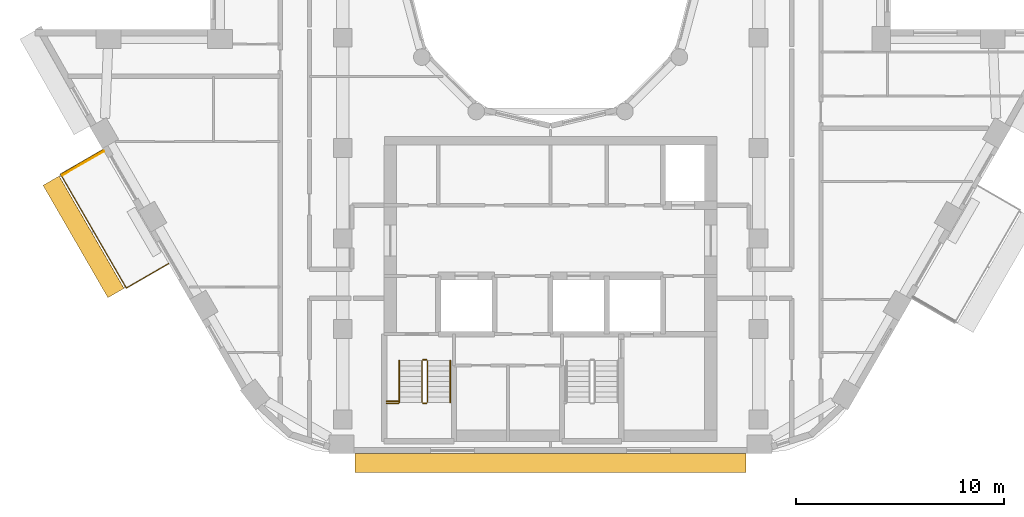
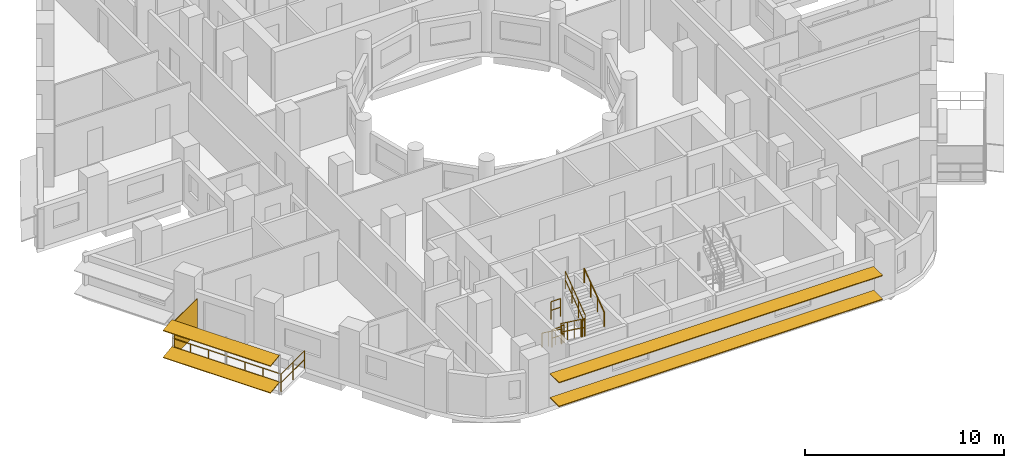
# One storey, part 13 of 16: 9 railings, 5 shading devices.
"""IFC4 building model written with IfcOpenShell, lengths in metres."""

from ifc_helpers import new_model, si_unit, direction, frame, origin, origin_2d, place, context, subcontext, project, spatial, rectangle, circle, extrude, material, layer, layer_set, material_profile, profile_set, type_object, element, save


model = new_model("IFC4")

# Units and contexts
model_context = context("Model", 3, precision=1e-05, world=origin(), true_north=direction((0.0, 1.0)))
body_context = subcontext(model_context, "Body", "Model", "MODEL_VIEW")
ifc_project = project(units=[si_unit("LENGTHUNIT", "METRE"), si_unit("AREAUNIT", "SQUARE_METRE"), si_unit("VOLUMEUNIT", "CUBIC_METRE"), si_unit("PLANEANGLEUNIT", "RADIAN"), si_unit("MASSUNIT", "GRAM", prefix="KILO")], contexts=[model_context])

# Site, building, storey
site_placement = place(None, origin())
site = spatial("IfcSite", under=ifc_project, at=site_placement, CompositionType="ELEMENT")
building_placement = place(site_placement, origin())
building = spatial("IfcBuilding", under=site, at=building_placement, Name="Nakaniwa Court", CompositionType="ELEMENT")
storey_placement = place(building_placement, frame((0.0, 0.0, 193.199951171875)))
storey = spatial("IfcBuildingStorey", under=building, at=storey_placement, Name="L50", CompositionType="ELEMENT", Elevation=193.199951171875)

# Railing
ifc_material_1 = material(Name="Black powder-coated steel flat bar balustrade S275", Category="steel")
railing_type_1 = type_object("IfcRailingType", Name="Black metal balcony guard 1100", PredefinedType="GUARDRAIL", material=ifc_material_1)
railing_1_placement = place(storey_placement, frame((58.4814453125, 71.97119140625, -0.050048828125)))
element("IfcRailing", 1, at=railing_1_placement, inside=storey, type_object=railing_type_1, Name="L50 balcony guard 01", PredefinedType="GUARDRAIL", context=body_context, shape_type="SweptSolid", body=[
    extrude(circle(Radius=0.02392578125, at=origin_2d()), frame((0.0, 0.0, 1.076171875), z_axis=(-0.866051224006, -0.499955275397, 0.0), x_axis=(0.499955275397, -0.866051224006, 0.0)), (0.0, 0.0, 1.0), 2.360107421875),
    extrude(circle(Radius=0.02392578125, at=origin_2d()), frame((0.0, 0.0, 0.550048828125), z_axis=(-0.866051224006, -0.499955275397, 0.0), x_axis=(0.499955275397, -0.866051224006, 0.0)), (0.0, 0.0, 1.0), 2.360107421875),
    extrude(circle(Radius=0.02392578125, at=origin_2d()), frame((-2.0439453125, -1.179931640625, 1.076171875), z_axis=(0.500003371769, -0.866023457084, 0.0), x_axis=(0.866023457084, 0.500003371769, 0.0)), (0.0, 0.0, 1.0), 6.3193359375),
    extrude(circle(Radius=0.02392578125, at=origin_2d()), frame((-2.0439453125, -1.179931640625, 0.550048828125), z_axis=(0.500003371769, -0.866023457084, 0.0), x_axis=(0.866023457084, 0.500003371769, 0.0)), (0.0, 0.0, 1.0), 6.3193359375),
    extrude(circle(Radius=0.02392578125, at=origin_2d()), frame((1.11572265625, -6.652587890625, 1.076171875), z_axis=(0.865980564943, 0.500077655111, 0.0), x_axis=(-0.500077655111, 0.865980564943, 0.0)), (0.0, 0.0, 1.0), 2.35986328125),
    extrude(circle(Radius=0.02392578125, at=origin_2d()), frame((1.11572265625, -6.652587890625, 0.550048828125), z_axis=(0.865980564943, 0.500077655111, 0.0), x_axis=(-0.500077655111, 0.865980564943, 0.0)), (0.0, 0.0, 1.0), 2.35986328125),
    extrude(circle(Radius=0.02099609375, at=origin_2d()), origin(), (0.0, 0.0, 1.0), 1.052001953125),
    extrude(circle(Radius=0.02099609375, at=origin_2d()), frame((-1.02197265625, -0.58984375, 0.0)), (0.0, 0.0, 1.0), 1.052001953125),
    extrude(circle(Radius=0.02099609375, at=origin_2d()), frame((-2.0439453125, -1.179931640625, 0.0)), (0.0, 0.0, 1.0), 1.052001953125),
    extrude(circle(Radius=0.02099609375, at=origin_2d()), frame((-1.517333984375, -2.092041015625, 0.0)), (0.0, 0.0, 1.0), 1.052001953125),
    extrude(circle(Radius=0.02099609375, at=origin_2d()), frame((-0.99072265625, -3.004150390625, 0.0)), (0.0, 0.0, 1.0), 1.052001953125),
    extrude(circle(Radius=0.02099609375, at=origin_2d()), frame((-0.464111328125, -3.916259765625, 0.0)), (0.0, 0.0, 1.0), 1.052001953125),
    extrude(circle(Radius=0.02099609375, at=origin_2d()), frame((0.0625, -4.828369140625, 0.0)), (0.0, 0.0, 1.0), 1.052001953125),
    extrude(circle(Radius=0.02099609375, at=origin_2d()), frame((0.589111328125, -5.740478515625, 0.0)), (0.0, 0.0, 1.0), 1.052001953125),
    extrude(circle(Radius=0.02099609375, at=origin_2d()), frame((1.11572265625, -6.652587890625, 0.0)), (0.0, 0.0, 1.0), 1.052001953125),
    extrude(circle(Radius=0.02099609375, at=origin_2d()), frame((2.1376953125, -6.0625, 0.0)), (0.0, 0.0, 1.0), 1.052001953125),
    extrude(circle(Radius=0.02099609375, at=origin_2d()), frame((3.159423828125, -5.472412109375, 0.0)), (0.0, 0.0, 1.0), 1.052001953125),
])

# Shading devices
ifc_material_2 = material(Name="Black powder-coated aluminium slat screen", Category="aluminium")
ifc_layer = layer(ifc_material_2, 0.0400390625)
ifc_layer_set = layer_set([ifc_layer], Name="Black powder-coated aluminium slat screen")
shading_device_type_1 = type_object("IfcShadingDeviceType", Name="Koshi screen black metal", PredefinedType="USERDEFINED", material=ifc_layer_set)
shading_device_placement = place(storey_placement, frame((57.521240234375, 71.324462890625, -0.050048828125), z_axis=(0.0, 0.0, 1.0), x_axis=(0.499986396443, -0.866033257659, 0.0)))
element("IfcShadingDevice", 2, at=shading_device_placement, inside=storey, type_object=shading_device_type_1, Name="L50 balcony SCREEN 01 W", ObjectType="KOSHI SCREEN", PredefinedType="USERDEFINED", context=body_context, shape_type="SweptSolid", body=[
    extrude(rectangle(XDim=0.0400390625, YDim=2.31005859375, at=origin_2d()), origin(), (0.0, 0.0, 1.0), 2.10009765625),
])
ifc_material_3 = material(Name="Perforated charcoal ceramic louvre blade")
ifc_material_profile = material_profile(ifc_material_3, rectangle(XDim=0.89990234375, YDim=0.050048828125, at=origin_2d()), Name="Perforated ceramic louvre blade")
ifc_profile_set = profile_set([ifc_material_profile], Name="Perforated charcoal ceramic louvre blade")
shading_device_type_2 = type_object("IfcShadingDeviceType", Name="Perforated ceramic louvre blade", PredefinedType="JALOUSIE", material=ifc_profile_set)
for number, where, z_axis, x_axis, name in (
    (3, (55.981689453125, 70.48193359375, 0.5), (0.500002460556, -0.866023983177, 0.0), (0.858615027947, 0.495724870193, 0.13052619222), "L50 perforated ceramic louvre blade 01 1"),
    (4, (55.981689453125, 70.48193359375, 2.150146484375), (0.500002460556, -0.866023983177, 0.0), (0.858615027947, 0.495724870193, 0.13052619222), "L50 perforated ceramic louvre blade 01 2"),
):
    element("IfcShadingDevice", number, at=place(storey_placement, frame(where, z_axis=z_axis, x_axis=x_axis)), inside=storey, type_object=shading_device_type_2, Name=name, PredefinedType="JALOUSIE", context=body_context, shape_type="SweptSolid", body=[
        extrude(rectangle(XDim=0.89990234375, YDim=0.050048828125, at=origin_2d()), origin(), (0.0, 0.0, 1.0), 6.2392578125),
    ])
for number, where, z_axis, x_axis, name in (
    (5, (70.6005859375, 56.89990234375, 0.550048828125), (1.0, 0.0, 0.0), (0.0, 1.0, 0.0), "L50 perforated ceramic louvre blade w26 1"),
    (6, (70.6005859375, 56.89990234375, 2.01513671875), (1.0, 0.0, 0.0), (0.0, 1.0, 0.0), "L50 perforated ceramic louvre blade w26 2"),
):
    element("IfcShadingDevice", number, at=place(storey_placement, frame(where, z_axis=z_axis, x_axis=x_axis)), inside=storey, type_object=shading_device_type_2, Name=name, PredefinedType="JALOUSIE", context=body_context, shape_type="SweptSolid", body=[
        extrude(rectangle(XDim=0.89990234375, YDim=0.050048828125, at=origin_2d()), origin(), (0.0, 0.0, 1.0), 18.79296875),
    ])

# Railings
ifc_material_4 = material(Name="Black powder coated steel guard", Category="steel")
railing_type_2 = type_object("IfcRailingType", Name="Stair guard 1100", PredefinedType="GUARDRAIL", material=ifc_material_4)
railing_2_placement = place(storey_placement, frame((73.824951171875, 61.824951171875, 0.183349609375)))
element("IfcRailing", 7, at=railing_2_placement, inside=storey, type_object=railing_type_2, Name="L50 ST3 stair guard 1", PredefinedType="GUARDRAIL", context=body_context, shape_type="SweptSolid", body=[
    extrude(circle(Radius=0.02392578125, at=origin_2d()), frame((0.0, 0.0, 1.076171875), z_axis=(0.0, -0.806379959628, 0.591397802423), x_axis=(1.0, 0.0, 0.0)), (0.0, 0.0, 1.0), 2.480224609375),
    extrude(circle(Radius=0.02392578125, at=origin_2d()), frame((0.0, 0.0, 0.550048828125), z_axis=(0.0, -0.806379959628, 0.591397802423), x_axis=(1.0, 0.0, 0.0)), (0.0, 0.0, 1.0), 2.480224609375),
    extrude(circle(Radius=0.02099609375, at=origin_2d()), origin(), (0.0, 0.0, 1.0), 1.052001953125),
    extrude(circle(Radius=0.02099609375, at=origin_2d()), frame((0.0, -0.666748046875, 0.489013671875)), (0.0, 0.0, 1.0), 1.052001953125),
    extrude(circle(Radius=0.02099609375, at=origin_2d()), frame((0.0, -1.333251953125, 0.977783203125)), (0.0, 0.0, 1.0), 1.052001953125),
    extrude(circle(Radius=0.02099609375, at=origin_2d()), frame((0.0, -2.0, 1.466796875)), (0.0, 0.0, 1.0), 1.052001953125),
])
railing_3_placement = place(storey_placement, frame((73.875, 59.77490234375, 1.650146484375)))
element("IfcRailing", 8, at=railing_3_placement, inside=storey, type_object=railing_type_2, Name="L50 ST3 stair guard 2", PredefinedType="GUARDRAIL", context=body_context, shape_type="SweptSolid", body=[
    extrude(circle(Radius=0.02392578125, at=origin_2d()), frame((0.0, 0.0, 1.076171875), z_axis=(1.0, 0.0, 0.0), x_axis=(0.0, 1.0, 0.0)), (0.0, 0.0, 1.0), 0.14990234375),
    extrude(circle(Radius=0.02392578125, at=origin_2d()), frame((0.0, 0.0, 0.550048828125), z_axis=(1.0, 0.0, 0.0), x_axis=(0.0, 1.0, 0.0)), (0.0, 0.0, 1.0), 0.14990234375),
    extrude(circle(Radius=0.02099609375, at=origin_2d()), origin(), (0.0, 0.0, 1.0), 1.052001953125),
    extrude(circle(Radius=0.02099609375, at=origin_2d()), frame((0.14990234375, 0.0, 0.0)), (0.0, 0.0, 1.0), 1.052001953125),
])
railing_4_placement = place(storey_placement, frame((74.074951171875, 59.824951171875, 1.83349609375)))
element("IfcRailing", 9, at=railing_4_placement, inside=storey, type_object=railing_type_2, Name="L50 ST3 stair guard 3", PredefinedType="GUARDRAIL", context=body_context, shape_type="SweptSolid", body=[
    extrude(circle(Radius=0.02392578125, at=origin_2d()), frame((0.0, 0.0, 1.076171875), z_axis=(0.0, 0.806426902644, 0.591333789573), x_axis=(-1.0, 0.0, 0.0)), (0.0, 0.0, 1.0), 2.47998046875),
    extrude(circle(Radius=0.02392578125, at=origin_2d()), frame((0.0, 0.0, 0.550048828125), z_axis=(0.0, 0.806426902644, 0.591333789573), x_axis=(-1.0, 0.0, 0.0)), (0.0, 0.0, 1.0), 2.47998046875),
    extrude(circle(Radius=0.02099609375, at=origin_2d()), origin(), (0.0, 0.0, 1.0), 1.052001953125),
    extrude(circle(Radius=0.02099609375, at=origin_2d()), frame((0.0, 0.666748046875, 0.48876953125)), (0.0, 0.0, 1.0), 1.052001953125),
    extrude(circle(Radius=0.02099609375, at=origin_2d()), frame((0.0, 1.333251953125, 0.977783203125)), (0.0, 0.0, 1.0), 1.052001953125),
    extrude(circle(Radius=0.02099609375, at=origin_2d()), frame((0.0, 2.0, 1.466552734375)), (0.0, 0.0, 1.0), 1.052001953125),
])
railing_5_placement = place(storey_placement, frame((73.875, 61.875, 0.0)))
element("IfcRailing", 10, at=railing_5_placement, inside=storey, type_object=railing_type_2, Name="L50 ST3 stair guard 4", PredefinedType="GUARDRAIL", context=body_context, shape_type="SweptSolid", body=[
    extrude(circle(Radius=0.02392578125, at=origin_2d()), frame((0.0, 0.0, 1.076171875), z_axis=(1.0, 0.0, 0.0), x_axis=(0.0, 1.0, 0.0)), (0.0, 0.0, 1.0), 0.14990234375),
    extrude(circle(Radius=0.02392578125, at=origin_2d()), frame((0.0, 0.0, 0.550048828125), z_axis=(1.0, 0.0, 0.0), x_axis=(0.0, 1.0, 0.0)), (0.0, 0.0, 1.0), 0.14990234375),
    extrude(circle(Radius=0.02099609375, at=origin_2d()), origin(), (0.0, 0.0, 1.0), 1.052001953125),
    extrude(circle(Radius=0.02099609375, at=origin_2d()), frame((0.14990234375, 0.0, 0.0)), (0.0, 0.0, 1.0), 1.052001953125),
])
for number, where, name in (
    (11, (72.125, 59.77490234375, 1.650146484375), "L50 ST3 landing side guard 1W"),
    (12, (72.125, 59.875, 3.300048828125), "L50 ST3 floor edge guard 1W"),
):
    element("IfcRailing", number, at=place(storey_placement, frame(where)), inside=storey, type_object=railing_type_2, Name=name, PredefinedType="GUARDRAIL", context=body_context, shape_type="SweptSolid", body=[
        extrude(circle(Radius=0.02392578125, at=origin_2d()), frame((0.0, 0.0, 1.076171875), z_axis=(1.0, 0.0, 0.0), x_axis=(0.0, 1.0, 0.0)), (0.0, 0.0, 1.0), 0.550048828125),
        extrude(circle(Radius=0.02392578125, at=origin_2d()), frame((0.0, 0.0, 0.550048828125), z_axis=(1.0, 0.0, 0.0), x_axis=(0.0, 1.0, 0.0)), (0.0, 0.0, 1.0), 0.550048828125),
        extrude(circle(Radius=0.02099609375, at=origin_2d()), origin(), (0.0, 0.0, 1.0), 1.052001953125),
        extrude(circle(Radius=0.02099609375, at=origin_2d()), frame((0.550048828125, 0.0, 0.0)), (0.0, 0.0, 1.0), 1.052001953125),
    ])
ifc_material_5 = material(Name="Black powder coated steel handrail", Category="steel")
railing_type_3 = type_object("IfcRailingType", Name="Stair handrail 900", PredefinedType="HANDRAIL", material=ifc_material_5)
railing_6_placement = place(storey_placement, frame((72.72509765625, 61.824951171875, 0.183349609375)))
element("IfcRailing", 13, at=railing_6_placement, inside=storey, type_object=railing_type_3, Name="L50 ST3 stair handrail 1", PredefinedType="HANDRAIL", context=body_context, shape_type="SweptSolid", body=[
    extrude(circle(Radius=0.02392578125, at=origin_2d()), frame((0.0, 0.0, 0.8759765625), z_axis=(0.0, -0.806379959628, 0.591397802423), x_axis=(1.0, 0.0, 0.0)), (0.0, 0.0, 1.0), 2.480224609375),
    extrude(circle(Radius=0.02099609375, at=origin_2d()), origin(), (0.0, 0.0, 1.0), 0.851806640625),
    extrude(circle(Radius=0.02099609375, at=origin_2d()), frame((0.0, -0.666748046875, 0.489013671875)), (0.0, 0.0, 1.0), 0.851806640625),
    extrude(circle(Radius=0.02099609375, at=origin_2d()), frame((0.0, -1.333251953125, 0.977783203125)), (0.0, 0.0, 1.0), 0.851806640625),
    extrude(circle(Radius=0.02099609375, at=origin_2d()), frame((0.0, -2.0, 1.466796875)), (0.0, 0.0, 1.0), 0.851806640625),
])
railing_7_placement = place(storey_placement, frame((75.175048828125, 59.824951171875, 1.83349609375)))
element("IfcRailing", 14, at=railing_7_placement, inside=storey, type_object=railing_type_3, Name="L50 ST3 stair handrail 2", PredefinedType="HANDRAIL", context=body_context, shape_type="SweptSolid", body=[
    extrude(circle(Radius=0.02392578125, at=origin_2d()), frame((0.0, 0.0, 0.8759765625), z_axis=(0.0, 0.806426902644, 0.591333789573), x_axis=(-1.0, 0.0, 0.0)), (0.0, 0.0, 1.0), 2.47998046875),
    extrude(circle(Radius=0.02099609375, at=origin_2d()), origin(), (0.0, 0.0, 1.0), 0.851806640625),
    extrude(circle(Radius=0.02099609375, at=origin_2d()), frame((0.0, 0.666748046875, 0.48876953125)), (0.0, 0.0, 1.0), 0.851806640625),
    extrude(circle(Radius=0.02099609375, at=origin_2d()), frame((0.0, 1.333251953125, 0.977783203125)), (0.0, 0.0, 1.0), 0.851806640625),
    extrude(circle(Radius=0.02099609375, at=origin_2d()), frame((0.0, 2.0, 1.466552734375)), (0.0, 0.0, 1.0), 0.851806640625),
])

save(model, "model.ifc")
